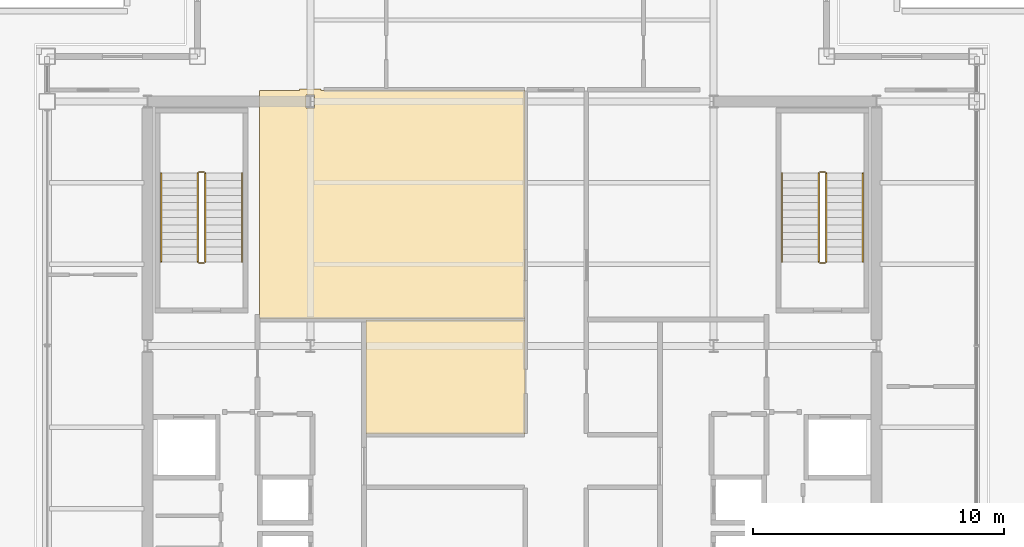
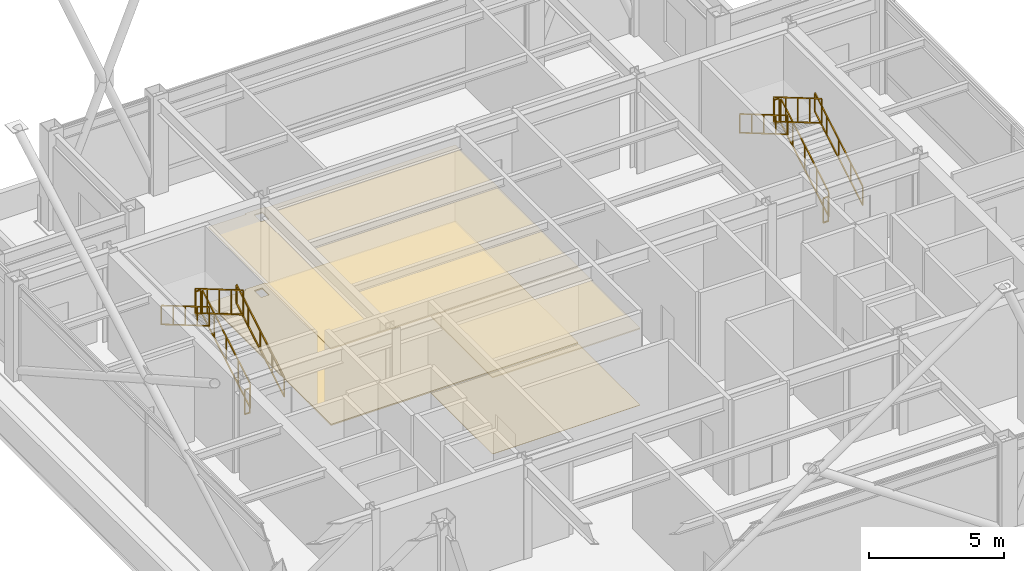
# One storey, part 19 of 19: 12 railings, 4 coverings.
"""IFC4 building model written with IfcOpenShell, lengths in metres."""

from ifc_helpers import new_model, si_unit, direction, frame, origin, origin_2d, place, context, subcontext, project, spatial, polyline, rectangle, outline, extrude, material, layer, layer_set, type_object, element, save


model = new_model("IFC4")

# Units and contexts
model_context = context("Model", 3, precision=1e-05, world=origin(), true_north=direction((0.0, 1.0)))
body_context = subcontext(model_context, "Body", "Model", "MODEL_VIEW")
ifc_project = project(units=[si_unit("LENGTHUNIT", "METRE"), si_unit("AREAUNIT", "SQUARE_METRE"), si_unit("VOLUMEUNIT", "CUBIC_METRE"), si_unit("PLANEANGLEUNIT", "RADIAN"), si_unit("MASSUNIT", "GRAM", prefix="KILO")], contexts=[model_context])

# Site, building, storey
site_placement = place(None, origin())
site = spatial("IfcSite", under=ifc_project, at=site_placement, CompositionType="ELEMENT")
building_placement = place(site_placement, origin())
building = spatial("IfcBuilding", under=site, at=building_placement, Name="Brelmoor Portico Tower", CompositionType="ELEMENT")
storey_placement = place(building_placement, frame((0.0, 0.0, 213.89990234375)))
storey = spatial("IfcBuildingStorey", under=building, at=storey_placement, Name="L56", CompositionType="ELEMENT", Elevation=213.89990234375)

# Coverings
ifc_material_1 = material(Name="Powder-Coated Aluminium Acoustic Baffle Ceiling", Category="aluminium")
ifc_layer_1 = layer(ifc_material_1, 0.044921875)
ifc_layer_set_1 = layer_set([ifc_layer_1], Name="Powder-Coated Aluminium Acoustic Baffle Ceiling")
covering_type_1 = type_object("IfcCoveringType", Name="CV-CEIL-BAFFLE-45", PredefinedType="CEILING", material=ifc_layer_set_1)
covering_1_placement = place(storey_placement, frame((0.0, 0.0, 3.4501953125)))
element("IfcCovering", 1, at=covering_1_placement, inside=storey, type_object=covering_type_1, Name="L56 Acoustic Suspended Ceiling 01", PredefinedType="CEILING", context=body_context, shape_type="SweptSolid", body=[
    extrude(outline(polyline([(-10.080078125, 10.18994140625), (-8.47509765625, 10.18994140625), (-8.47509765625, 10.25), (-7.625, 10.25), (-7.625, 10.18994140625), (0.510009765625, 10.18994140625), (0.510009765625, 1.090087890625), (-10.080078125, 1.090087890625), (-10.080078125, 10.18994140625)]), holes=[polyline([(-7.875, 9.5), (-7.875, 10.0), (-8.22509765625, 10.0), (-8.22509765625, 9.5), (-7.875, 9.5)])]), origin(), (0.0, 0.0, 1.0), 0.044921875),
])
ifc_material_2 = material(Name="Slatted FSC Oak Acoustic Feature Ceiling", Category="timber")
ifc_layer_2 = layer(ifc_material_2, 0.052001953125)
ifc_layer_set_2 = layer_set([ifc_layer_2], Name="Slatted FSC Oak Acoustic Feature Ceiling")
covering_type_2 = type_object("IfcCoveringType", Name="CV-CEIL-TIMBER-52", PredefinedType="CEILING", material=ifc_layer_set_2)
covering_2_placement = place(storey_placement, frame((0.0, 0.0, 3.4501953125)))
element("IfcCovering", 2, at=covering_2_placement, inside=storey, type_object=covering_type_2, Name="L56 Acoustic Suspended Ceiling 02", PredefinedType="CEILING", context=body_context, shape_type="SweptSolid", body=[
    extrude(outline(polyline([(-5.820068359375, -3.510009765625), (-5.820068359375, 1.0400390625), (0.510009765625, 1.0400390625), (0.510009765625, -3.510009765625), (-5.820068359375, -3.510009765625)])), origin(), (0.0, 0.0, 1.0), 0.052001953125),
])
ifc_material_3 = material(Name="Calcium-Sulphate Raised Access Floor Panel", Category="steel")
ifc_layer_3 = layer(ifc_material_3, 0.06005859375)
ifc_layer_set_3 = layer_set([ifc_layer_3], Name="Calcium-Sulphate Raised Access Floor Panel")
covering_type_3 = type_object("IfcCoveringType", Name="CV-FLR-ACCESS-60", PredefinedType="FLOORING", material=ifc_layer_set_3)
covering_3_placement = place(storey_placement, origin())
element("IfcCovering", 3, at=covering_3_placement, inside=storey, type_object=covering_type_3, Name="L56 Architectural Floor Finish 01", PredefinedType="FLOORING", context=body_context, shape_type="SweptSolid", body=[
    extrude(outline(polyline([(-10.080078125, 10.18994140625), (-8.47509765625, 10.18994140625), (-8.47509765625, 10.25), (-7.625, 10.25), (-7.625, 10.18994140625), (0.510009765625, 10.18994140625), (0.510009765625, 1.090087890625), (-10.080078125, 1.090087890625), (-10.080078125, 10.18994140625)]), holes=[polyline([(-7.875, 9.5), (-7.875, 10.0), (-8.22509765625, 10.0), (-8.22509765625, 9.5), (-7.875, 9.5)])]), origin(), (0.0, 0.0, 1.0), 0.06005859375),
])
ifc_material_4 = material(Name="Solution-Dyed Nylon Acoustic Carpet Tile", Category="textile")
ifc_layer_4 = layer(ifc_material_4, 0.013916015625)
ifc_layer_set_4 = layer_set([ifc_layer_4], Name="Solution-Dyed Nylon Acoustic Carpet Tile")
covering_type_4 = type_object("IfcCoveringType", Name="CV-FLR-CARPET-14", PredefinedType="FLOORING", material=ifc_layer_set_4)
covering_4_placement = place(storey_placement, origin())
element("IfcCovering", 4, at=covering_4_placement, inside=storey, type_object=covering_type_4, Name="L56 Architectural Floor Finish 02", PredefinedType="FLOORING", context=body_context, shape_type="SweptSolid", body=[
    extrude(outline(polyline([(-5.820068359375, -3.510009765625), (-5.820068359375, 1.0400390625), (0.510009765625, 1.0400390625), (0.510009765625, -3.510009765625), (-5.820068359375, -3.510009765625)])), origin(), (0.0, 0.0, 1.0), 0.01416015625),
])

# Railings
ifc_material_5 = material(Name="Painted Tubular Steel Q235B", Category="steel")
railing_type_1 = type_object("IfcRailingType", Name="RL-STAIR-GUARD", PredefinedType="GUARDRAIL", material=ifc_material_5)
railing_1_placement = place(storey_placement, frame((-12.239990234375, 3.35009765625, 0.173095703125)))
element("IfcRailing", 5, at=railing_1_placement, inside=storey, type_object=railing_type_1, Name="L56 ST-W stair guard 1", PredefinedType="GUARDRAIL", context=body_context, shape_type="SweptSolid", body=[
    extrude(rectangle(XDim=0.048095703125, YDim=0.048095703125, at=origin_2d()), frame((0.0, 0.0, 1.1259765625), z_axis=(0.0, 0.862501018769, 0.506055325654), x_axis=(-1.0, 0.0, 0.0)), (0.0, 0.0, 1.0), 4.10400390625),
    extrude(rectangle(XDim=0.048095703125, YDim=0.048095703125, at=origin_2d()), frame((0.0, 0.0, 0.02392578125), z_axis=(0.0, 0.862501018769, 0.506055325654), x_axis=(-1.0, 0.0, 0.0)), (0.0, 0.0, 1.0), 4.10400390625),
    extrude(rectangle(XDim=0.0419921875, YDim=0.0419921875, at=origin_2d()), origin(), (0.0, 0.0, 1.0), 1.101806640625),
    extrude(rectangle(XDim=0.0419921875, YDim=0.0419921875, at=origin_2d()), frame((0.0, 0.885009765625, 0.519287109375)), (0.0, 0.0, 1.0), 1.101806640625),
    extrude(rectangle(XDim=0.0419921875, YDim=0.0419921875, at=origin_2d()), frame((0.0, 1.77001953125, 1.03857421875)), (0.0, 0.0, 1.0), 1.101806640625),
    extrude(rectangle(XDim=0.0419921875, YDim=0.0419921875, at=origin_2d()), frame((0.0, 2.65478515625, 1.5576171875)), (0.0, 0.0, 1.0), 1.101806640625),
    extrude(rectangle(XDim=0.0419921875, YDim=0.0419921875, at=origin_2d()), frame((0.0, 3.539794921875, 2.076904296875)), (0.0, 0.0, 1.0), 1.101806640625),
])
railing_2_placement = place(storey_placement, frame((-12.2900390625, 6.93994140625, 2.25)))
element("IfcRailing", 6, at=railing_2_placement, inside=storey, type_object=railing_type_1, Name="L56 ST-W stair guard 2", PredefinedType="GUARDRAIL", context=body_context, shape_type="SweptSolid", body=[
    extrude(rectangle(XDim=0.048095703125, YDim=0.048095703125, at=origin_2d()), frame((0.0, 0.0, 1.1259765625), z_axis=(-1.0, 0.0, 0.0), x_axis=(0.0, -1.0, 0.0)), (0.0, 0.0, 1.0), 0.199951171875),
    extrude(rectangle(XDim=0.048095703125, YDim=0.048095703125, at=origin_2d()), frame((0.0, 0.0, 0.02392578125), z_axis=(-1.0, 0.0, 0.0), x_axis=(0.0, -1.0, 0.0)), (0.0, 0.0, 1.0), 0.199951171875),
    extrude(rectangle(XDim=0.0419921875, YDim=0.0419921875, at=origin_2d()), origin(), (0.0, 0.0, 1.0), 1.101806640625),
    extrude(rectangle(XDim=0.0419921875, YDim=0.0419921875, at=origin_2d()), frame((-0.199951171875, 0.0, 0.0)), (0.0, 0.0, 1.0), 1.101806640625),
])
railing_3_placement = place(storey_placement, frame((-12.5400390625, 6.889892578125, 2.423095703125)))
element("IfcRailing", 7, at=railing_3_placement, inside=storey, type_object=railing_type_1, Name="L56 ST-W stair guard 3", PredefinedType="GUARDRAIL", context=body_context, shape_type="SweptSolid", body=[
    extrude(rectangle(XDim=0.048095703125, YDim=0.048095703125, at=origin_2d()), frame((0.0, 0.0, 1.1259765625), z_axis=(0.0, -0.862501018769, 0.506055325654), x_axis=(1.0, 0.0, 0.0)), (0.0, 0.0, 1.0), 4.10400390625),
    extrude(rectangle(XDim=0.048095703125, YDim=0.048095703125, at=origin_2d()), frame((0.0, 0.0, 0.02392578125), z_axis=(0.0, -0.862501018769, 0.506055325654), x_axis=(1.0, 0.0, 0.0)), (0.0, 0.0, 1.0), 4.10400390625),
    extrude(rectangle(XDim=0.0419921875, YDim=0.0419921875, at=origin_2d()), origin(), (0.0, 0.0, 1.0), 1.101806640625),
    extrude(rectangle(XDim=0.0419921875, YDim=0.0419921875, at=origin_2d()), frame((0.0, -0.885009765625, 0.519287109375)), (0.0, 0.0, 1.0), 1.101806640625),
    extrude(rectangle(XDim=0.0419921875, YDim=0.0419921875, at=origin_2d()), frame((0.0, -1.77001953125, 1.03857421875)), (0.0, 0.0, 1.0), 1.101806640625),
    extrude(rectangle(XDim=0.0419921875, YDim=0.0419921875, at=origin_2d()), frame((0.0, -2.65478515625, 1.5576171875)), (0.0, 0.0, 1.0), 1.101806640625),
    extrude(rectangle(XDim=0.0419921875, YDim=0.0419921875, at=origin_2d()), frame((0.0, -3.539794921875, 2.076904296875)), (0.0, 0.0, 1.0), 1.101806640625),
])
railing_4_placement = place(storey_placement, frame((-12.2900390625, 3.300048828125, 0.0)))
element("IfcRailing", 8, at=railing_4_placement, inside=storey, type_object=railing_type_1, Name="L56 ST-W stair guard 4", PredefinedType="GUARDRAIL", context=body_context, shape_type="SweptSolid", body=[
    extrude(rectangle(XDim=0.048095703125, YDim=0.048095703125, at=origin_2d()), frame((0.0, 0.0, 1.1259765625), z_axis=(-1.0, 0.0, 0.0), x_axis=(0.0, -1.0, 0.0)), (0.0, 0.0, 1.0), 0.199951171875),
    extrude(rectangle(XDim=0.048095703125, YDim=0.048095703125, at=origin_2d()), frame((0.0, 0.0, 0.02392578125), z_axis=(-1.0, 0.0, 0.0), x_axis=(0.0, -1.0, 0.0)), (0.0, 0.0, 1.0), 0.199951171875),
    extrude(rectangle(XDim=0.0419921875, YDim=0.0419921875, at=origin_2d()), origin(), (0.0, 0.0, 1.0), 1.101806640625),
    extrude(rectangle(XDim=0.0419921875, YDim=0.0419921875, at=origin_2d()), frame((-0.199951171875, 0.0, 0.0)), (0.0, 0.0, 1.0), 1.101806640625),
])
railing_5_placement = place(storey_placement, frame((12.5400390625, 3.35009765625, 0.173095703125)))
element("IfcRailing", 9, at=railing_5_placement, inside=storey, type_object=railing_type_1, Name="L56 ST-E stair guard 1", PredefinedType="GUARDRAIL", context=body_context, shape_type="SweptSolid", body=[
    extrude(rectangle(XDim=0.048095703125, YDim=0.048095703125, at=origin_2d()), frame((0.0, 0.0, 1.1259765625), z_axis=(0.0, 0.862501018769, 0.506055325654), x_axis=(-1.0, 0.0, 0.0)), (0.0, 0.0, 1.0), 4.10400390625),
    extrude(rectangle(XDim=0.048095703125, YDim=0.048095703125, at=origin_2d()), frame((0.0, 0.0, 0.02392578125), z_axis=(0.0, 0.862501018769, 0.506055325654), x_axis=(-1.0, 0.0, 0.0)), (0.0, 0.0, 1.0), 4.10400390625),
    extrude(rectangle(XDim=0.0419921875, YDim=0.0419921875, at=origin_2d()), origin(), (0.0, 0.0, 1.0), 1.101806640625),
    extrude(rectangle(XDim=0.0419921875, YDim=0.0419921875, at=origin_2d()), frame((0.0, 0.885009765625, 0.519287109375)), (0.0, 0.0, 1.0), 1.101806640625),
    extrude(rectangle(XDim=0.0419921875, YDim=0.0419921875, at=origin_2d()), frame((0.0, 1.77001953125, 1.03857421875)), (0.0, 0.0, 1.0), 1.101806640625),
    extrude(rectangle(XDim=0.0419921875, YDim=0.0419921875, at=origin_2d()), frame((0.0, 2.65478515625, 1.5576171875)), (0.0, 0.0, 1.0), 1.101806640625),
    extrude(rectangle(XDim=0.0419921875, YDim=0.0419921875, at=origin_2d()), frame((0.0, 3.539794921875, 2.076904296875)), (0.0, 0.0, 1.0), 1.101806640625),
])
railing_6_placement = place(storey_placement, frame((12.489990234375, 6.93994140625, 2.25)))
element("IfcRailing", 10, at=railing_6_placement, inside=storey, type_object=railing_type_1, Name="L56 ST-E stair guard 2", PredefinedType="GUARDRAIL", context=body_context, shape_type="SweptSolid", body=[
    extrude(rectangle(XDim=0.048095703125, YDim=0.048095703125, at=origin_2d()), frame((0.0, 0.0, 1.1259765625), z_axis=(-1.0, 0.0, 0.0), x_axis=(0.0, -1.0, 0.0)), (0.0, 0.0, 1.0), 0.199951171875),
    extrude(rectangle(XDim=0.048095703125, YDim=0.048095703125, at=origin_2d()), frame((0.0, 0.0, 0.02392578125), z_axis=(-1.0, 0.0, 0.0), x_axis=(0.0, -1.0, 0.0)), (0.0, 0.0, 1.0), 0.199951171875),
    extrude(rectangle(XDim=0.0419921875, YDim=0.0419921875, at=origin_2d()), origin(), (0.0, 0.0, 1.0), 1.101806640625),
    extrude(rectangle(XDim=0.0419921875, YDim=0.0419921875, at=origin_2d()), frame((-0.199951171875, 0.0, 0.0)), (0.0, 0.0, 1.0), 1.101806640625),
])
railing_7_placement = place(storey_placement, frame((12.239990234375, 6.889892578125, 2.423095703125)))
element("IfcRailing", 11, at=railing_7_placement, inside=storey, type_object=railing_type_1, Name="L56 ST-E stair guard 3", PredefinedType="GUARDRAIL", context=body_context, shape_type="SweptSolid", body=[
    extrude(rectangle(XDim=0.048095703125, YDim=0.048095703125, at=origin_2d()), frame((0.0, 0.0, 1.1259765625), z_axis=(0.0, -0.862501018769, 0.506055325654), x_axis=(1.0, 0.0, 0.0)), (0.0, 0.0, 1.0), 4.10400390625),
    extrude(rectangle(XDim=0.048095703125, YDim=0.048095703125, at=origin_2d()), frame((0.0, 0.0, 0.02392578125), z_axis=(0.0, -0.862501018769, 0.506055325654), x_axis=(1.0, 0.0, 0.0)), (0.0, 0.0, 1.0), 4.10400390625),
    extrude(rectangle(XDim=0.0419921875, YDim=0.0419921875, at=origin_2d()), origin(), (0.0, 0.0, 1.0), 1.101806640625),
    extrude(rectangle(XDim=0.0419921875, YDim=0.0419921875, at=origin_2d()), frame((0.0, -0.885009765625, 0.519287109375)), (0.0, 0.0, 1.0), 1.101806640625),
    extrude(rectangle(XDim=0.0419921875, YDim=0.0419921875, at=origin_2d()), frame((0.0, -1.77001953125, 1.03857421875)), (0.0, 0.0, 1.0), 1.101806640625),
    extrude(rectangle(XDim=0.0419921875, YDim=0.0419921875, at=origin_2d()), frame((0.0, -2.65478515625, 1.5576171875)), (0.0, 0.0, 1.0), 1.101806640625),
    extrude(rectangle(XDim=0.0419921875, YDim=0.0419921875, at=origin_2d()), frame((0.0, -3.539794921875, 2.076904296875)), (0.0, 0.0, 1.0), 1.101806640625),
])
railing_8_placement = place(storey_placement, frame((12.489990234375, 3.300048828125, 0.0)))
element("IfcRailing", 12, at=railing_8_placement, inside=storey, type_object=railing_type_1, Name="L56 ST-E stair guard 4", PredefinedType="GUARDRAIL", context=body_context, shape_type="SweptSolid", body=[
    extrude(rectangle(XDim=0.048095703125, YDim=0.048095703125, at=origin_2d()), frame((0.0, 0.0, 1.1259765625), z_axis=(-1.0, 0.0, 0.0), x_axis=(0.0, -1.0, 0.0)), (0.0, 0.0, 1.0), 0.199951171875),
    extrude(rectangle(XDim=0.048095703125, YDim=0.048095703125, at=origin_2d()), frame((0.0, 0.0, 0.02392578125), z_axis=(-1.0, 0.0, 0.0), x_axis=(0.0, -1.0, 0.0)), (0.0, 0.0, 1.0), 0.199951171875),
    extrude(rectangle(XDim=0.0419921875, YDim=0.0419921875, at=origin_2d()), origin(), (0.0, 0.0, 1.0), 1.101806640625),
    extrude(rectangle(XDim=0.0419921875, YDim=0.0419921875, at=origin_2d()), frame((-0.199951171875, 0.0, 0.0)), (0.0, 0.0, 1.0), 1.101806640625),
])
ifc_material_6 = material(Name="Brushed Stainless Steel 304", Category="steel")
railing_type_2 = type_object("IfcRailingType", Name="RL-STAIR-HANDRAIL", PredefinedType="HANDRAIL", material=ifc_material_6)
railing_9_placement = place(storey_placement, frame((-10.780029296875, 3.35009765625, 0.173095703125)))
element("IfcRailing", 13, at=railing_9_placement, inside=storey, type_object=railing_type_2, Name="L56 ST-W stair handrail 1", PredefinedType="HANDRAIL", context=body_context, shape_type="SweptSolid", body=[
    extrude(rectangle(XDim=0.048095703125, YDim=0.048095703125, at=origin_2d()), frame((0.0, 0.0, 0.8759765625), z_axis=(0.0, 0.862501018769, 0.506055325654), x_axis=(-1.0, 0.0, 0.0)), (0.0, 0.0, 1.0), 4.10400390625),
    extrude(rectangle(XDim=0.048095703125, YDim=0.048095703125, at=origin_2d()), frame((0.0, 0.0, 0.02392578125), z_axis=(0.0, 0.862501018769, 0.506055325654), x_axis=(-1.0, 0.0, 0.0)), (0.0, 0.0, 1.0), 4.10400390625),
    extrude(rectangle(XDim=0.0419921875, YDim=0.0419921875, at=origin_2d()), origin(), (0.0, 0.0, 1.0), 0.851806640625),
    extrude(rectangle(XDim=0.0419921875, YDim=0.0419921875, at=origin_2d()), frame((0.0, 0.885009765625, 0.519287109375)), (0.0, 0.0, 1.0), 0.851806640625),
    extrude(rectangle(XDim=0.0419921875, YDim=0.0419921875, at=origin_2d()), frame((0.0, 1.77001953125, 1.03857421875)), (0.0, 0.0, 1.0), 0.851806640625),
    extrude(rectangle(XDim=0.0419921875, YDim=0.0419921875, at=origin_2d()), frame((0.0, 2.65478515625, 1.5576171875)), (0.0, 0.0, 1.0), 0.851806640625),
    extrude(rectangle(XDim=0.0419921875, YDim=0.0419921875, at=origin_2d()), frame((0.0, 3.539794921875, 2.076904296875)), (0.0, 0.0, 1.0), 0.851806640625),
])
railing_10_placement = place(storey_placement, frame((-14.0, 6.889892578125, 2.423095703125)))
element("IfcRailing", 14, at=railing_10_placement, inside=storey, type_object=railing_type_2, Name="L56 ST-W stair handrail 2", PredefinedType="HANDRAIL", context=body_context, shape_type="SweptSolid", body=[
    extrude(rectangle(XDim=0.048095703125, YDim=0.048095703125, at=origin_2d()), frame((0.0, 0.0, 0.8759765625), z_axis=(0.0, -0.862501018769, 0.506055325654), x_axis=(1.0, 0.0, 0.0)), (0.0, 0.0, 1.0), 4.10400390625),
    extrude(rectangle(XDim=0.048095703125, YDim=0.048095703125, at=origin_2d()), frame((0.0, 0.0, 0.02392578125), z_axis=(0.0, -0.862501018769, 0.506055325654), x_axis=(1.0, 0.0, 0.0)), (0.0, 0.0, 1.0), 4.10400390625),
    extrude(rectangle(XDim=0.0419921875, YDim=0.0419921875, at=origin_2d()), origin(), (0.0, 0.0, 1.0), 0.851806640625),
    extrude(rectangle(XDim=0.0419921875, YDim=0.0419921875, at=origin_2d()), frame((0.0, -0.885009765625, 0.519287109375)), (0.0, 0.0, 1.0), 0.851806640625),
    extrude(rectangle(XDim=0.0419921875, YDim=0.0419921875, at=origin_2d()), frame((0.0, -1.77001953125, 1.03857421875)), (0.0, 0.0, 1.0), 0.851806640625),
    extrude(rectangle(XDim=0.0419921875, YDim=0.0419921875, at=origin_2d()), frame((0.0, -2.65478515625, 1.5576171875)), (0.0, 0.0, 1.0), 0.851806640625),
    extrude(rectangle(XDim=0.0419921875, YDim=0.0419921875, at=origin_2d()), frame((0.0, -3.539794921875, 2.076904296875)), (0.0, 0.0, 1.0), 0.851806640625),
])
railing_11_placement = place(storey_placement, frame((14.0, 3.35009765625, 0.173095703125)))
element("IfcRailing", 15, at=railing_11_placement, inside=storey, type_object=railing_type_2, Name="L56 ST-E stair handrail 1", PredefinedType="HANDRAIL", context=body_context, shape_type="SweptSolid", body=[
    extrude(rectangle(XDim=0.048095703125, YDim=0.048095703125, at=origin_2d()), frame((0.0, 0.0, 0.8759765625), z_axis=(0.0, 0.862501018769, 0.506055325654), x_axis=(-1.0, 0.0, 0.0)), (0.0, 0.0, 1.0), 4.10400390625),
    extrude(rectangle(XDim=0.048095703125, YDim=0.048095703125, at=origin_2d()), frame((0.0, 0.0, 0.02392578125), z_axis=(0.0, 0.862501018769, 0.506055325654), x_axis=(-1.0, 0.0, 0.0)), (0.0, 0.0, 1.0), 4.10400390625),
    extrude(rectangle(XDim=0.0419921875, YDim=0.0419921875, at=origin_2d()), origin(), (0.0, 0.0, 1.0), 0.851806640625),
    extrude(rectangle(XDim=0.0419921875, YDim=0.0419921875, at=origin_2d()), frame((0.0, 0.885009765625, 0.519287109375)), (0.0, 0.0, 1.0), 0.851806640625),
    extrude(rectangle(XDim=0.0419921875, YDim=0.0419921875, at=origin_2d()), frame((0.0, 1.77001953125, 1.03857421875)), (0.0, 0.0, 1.0), 0.851806640625),
    extrude(rectangle(XDim=0.0419921875, YDim=0.0419921875, at=origin_2d()), frame((0.0, 2.65478515625, 1.5576171875)), (0.0, 0.0, 1.0), 0.851806640625),
    extrude(rectangle(XDim=0.0419921875, YDim=0.0419921875, at=origin_2d()), frame((0.0, 3.539794921875, 2.076904296875)), (0.0, 0.0, 1.0), 0.851806640625),
])
railing_12_placement = place(storey_placement, frame((10.780029296875, 6.889892578125, 2.423095703125)))
element("IfcRailing", 16, at=railing_12_placement, inside=storey, type_object=railing_type_2, Name="L56 ST-E stair handrail 2", PredefinedType="HANDRAIL", context=body_context, shape_type="SweptSolid", body=[
    extrude(rectangle(XDim=0.048095703125, YDim=0.048095703125, at=origin_2d()), frame((0.0, 0.0, 0.8759765625), z_axis=(0.0, -0.862501018769, 0.506055325654), x_axis=(1.0, 0.0, 0.0)), (0.0, 0.0, 1.0), 4.10400390625),
    extrude(rectangle(XDim=0.048095703125, YDim=0.048095703125, at=origin_2d()), frame((0.0, 0.0, 0.02392578125), z_axis=(0.0, -0.862501018769, 0.506055325654), x_axis=(1.0, 0.0, 0.0)), (0.0, 0.0, 1.0), 4.10400390625),
    extrude(rectangle(XDim=0.0419921875, YDim=0.0419921875, at=origin_2d()), origin(), (0.0, 0.0, 1.0), 0.851806640625),
    extrude(rectangle(XDim=0.0419921875, YDim=0.0419921875, at=origin_2d()), frame((0.0, -0.885009765625, 0.519287109375)), (0.0, 0.0, 1.0), 0.851806640625),
    extrude(rectangle(XDim=0.0419921875, YDim=0.0419921875, at=origin_2d()), frame((0.0, -1.77001953125, 1.03857421875)), (0.0, 0.0, 1.0), 0.851806640625),
    extrude(rectangle(XDim=0.0419921875, YDim=0.0419921875, at=origin_2d()), frame((0.0, -2.65478515625, 1.5576171875)), (0.0, 0.0, 1.0), 0.851806640625),
    extrude(rectangle(XDim=0.0419921875, YDim=0.0419921875, at=origin_2d()), frame((0.0, -3.539794921875, 2.076904296875)), (0.0, 0.0, 1.0), 0.851806640625),
])

save(model, "model.ifc")
